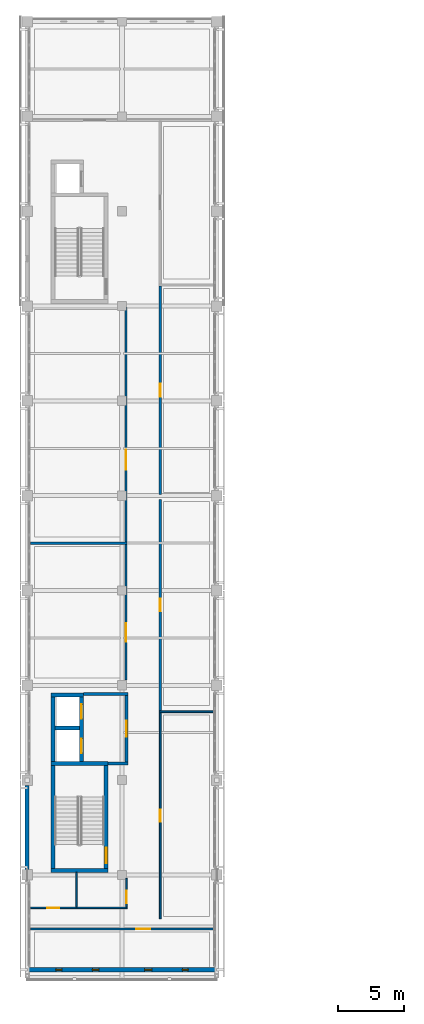
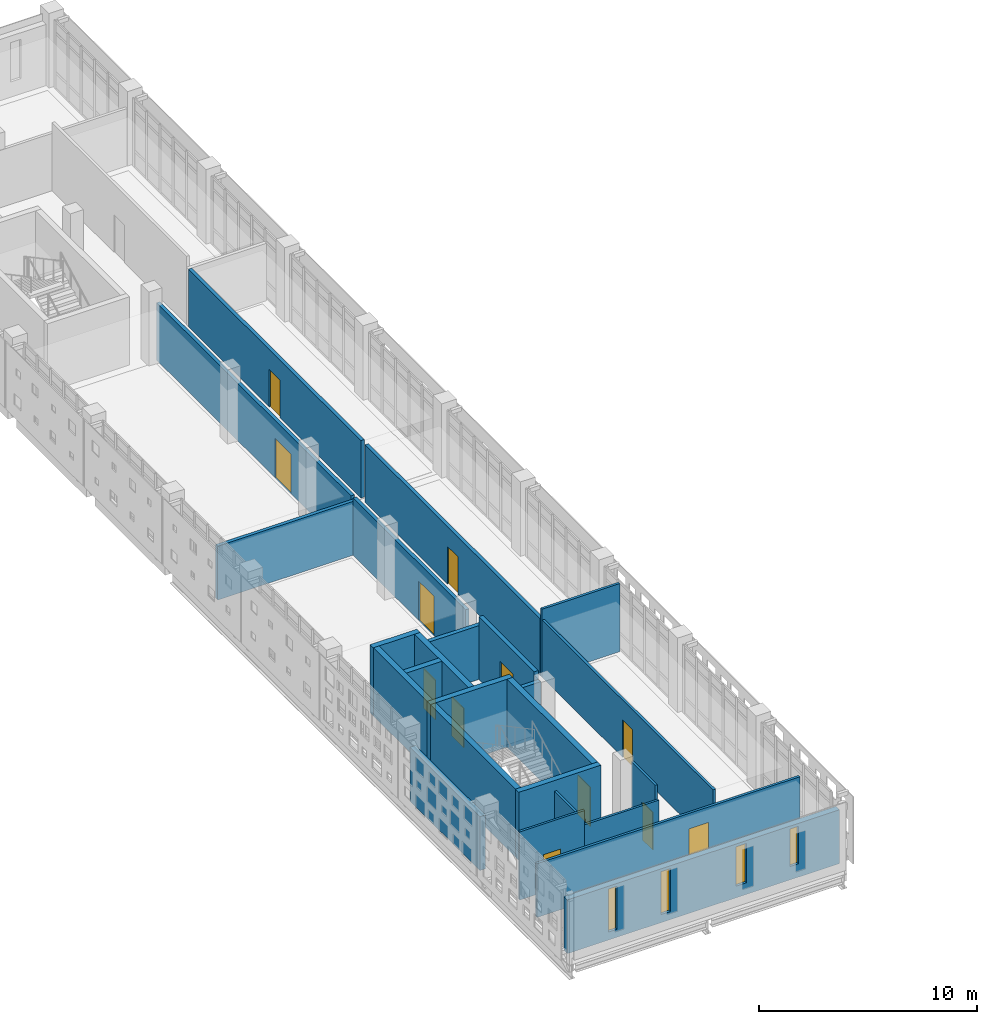
# One storey, part 20 of 33: 25 walls, 12 doors, 4 windows, 16 openings.
"""IFC4 building model written with IfcOpenShell, lengths in metres."""

import ifcopenshell
import ifcopenshell.guid

model = None  # the IFC model being written
_history = None  # IfcOwnerHistory: only IFC2X3 demands one
_inside = {}  # id of a spatial element -> (the spatial element, [elements in it])
_under = {}  # id of a project, library or spatial element -> (it, [spatial elements below it])
_declared = {}  # id of a project -> (the project, [libraries it declares])
_typed = {}  # id of a type object -> (the type object, [elements of that type])
_made_of = {}  # id of a material, layer set ... -> (it, [elements and type objects made of it])


def new_model(schema):
    """Start an empty IFC model of exactly this schema.

    Asked for "IFC4X3", IfcOpenShell would pick the latest addendum, in which some entities
    have other attributes; the version numbers below select the first issue.
    IFC2X3 requires an IfcOwnerHistory on every rooted entity: one is made here for all.
    """
    global model, _history
    if schema == "IFC4X3":
        model = ifcopenshell.file(schema_version=(4, 3, 0, 0))
    else:
        model = ifcopenshell.file(schema=schema)
    _inside.clear()
    _under.clear()
    _declared.clear()
    _typed.clear()
    _made_of.clear()
    _history = None
    if model.schema == "IFC2X3":
        org = make("IfcOrganization", Name="unknown")
        user = make(
            "IfcPersonAndOrganization",
            ThePerson=make("IfcPerson", FamilyName="unknown"),
            TheOrganization=org,
        )
        app = make(
            "IfcApplication",
            ApplicationDeveloper=org,
            Version="unknown",
            ApplicationFullName="unknown",
            ApplicationIdentifier="unknown",
        )
        _history = make(
            "IfcOwnerHistory",
            OwningUser=user,
            OwningApplication=app,
            ChangeAction="ADDED",
            CreationDate=0,
        )
    return model


def make(cls, **values):
    """One entity of the class cls with the attributes given. An attribute that is None is left unset."""
    return model.create_entity(
        cls, **{name: value for name, value in values.items() if value is not None}
    )


def rooted(cls, **values):
    """An entity with a GlobalId (a new one), such as an element, a storey or a relation."""
    return make(cls, GlobalId=ifcopenshell.guid.new(), OwnerHistory=_history, **values)


def si_unit(unit_type, name, prefix=None):
    """IfcSIUnit, for example si_unit("LENGTHUNIT", "METRE", prefix="MILLI")."""
    return make("IfcSIUnit", UnitType=unit_type, Prefix=prefix, Name=name)


def assignment(units):
    """IfcUnitAssignment: the units of a project."""
    return None if units is None else make("IfcUnitAssignment", Units=units)


def point(xyz):
    """IfcCartesianPoint."""
    return None if xyz is None else make("IfcCartesianPoint", Coordinates=xyz)


def direction(xyz):
    """IfcDirection."""
    return None if xyz is None else make("IfcDirection", DirectionRatios=xyz)


def frame(location, z_axis=None, x_axis=None):
    """IfcAxis2Placement3D, a coordinate frame: its origin and axes. An axis left out is left unset."""
    return make(
        "IfcAxis2Placement3D",
        Location=point(location),
        Axis=direction(z_axis),
        RefDirection=direction(x_axis),
    )


def frame_2d(location, x_axis=None):
    """IfcAxis2Placement2D, a coordinate frame in the plane: its origin and x axis."""
    return make(
        "IfcAxis2Placement2D", Location=point(location), RefDirection=direction(x_axis)
    )


def origin():
    """The frame at (0, 0, 0) with its axes left unset."""
    return frame((0.0, 0.0, 0.0))


def place(relative_to, where):
    """IfcLocalPlacement: puts the frame where relative to a parent placement (None: the world)."""
    return make(
        "IfcLocalPlacement", PlacementRelTo=relative_to, RelativePlacement=where
    )


def context(
    kind, dimensions, precision=None, world=None, true_north=None, identifier=None
):
    """IfcGeometricRepresentationContext, for example the 3D "Model" context."""
    return make(
        "IfcGeometricRepresentationContext",
        ContextIdentifier=identifier,
        ContextType=kind,
        CoordinateSpaceDimension=dimensions,
        Precision=precision,
        WorldCoordinateSystem=world,
        TrueNorth=true_north,
    )


def subcontext(parent, identifier, kind, view, scale=None):
    """IfcGeometricRepresentationSubContext, for example "Body" below "Model"."""
    return make(
        "IfcGeometricRepresentationSubContext",
        ContextIdentifier=identifier,
        ContextType=kind,
        ParentContext=parent,
        TargetScale=scale,
        TargetView=view,
    )


def project(units=None, contexts=None):
    """IfcProject with its units and contexts."""
    return rooted(
        "IfcProject",
        Name="project",
        RepresentationContexts=contexts,
        UnitsInContext=assignment(units),
    )


def spatial(cls, under=None, at=None, **own):
    """A site, building, storey or space (cls), placed at a placement, below another one or the project."""
    s = rooted(cls, ObjectPlacement=at, **own)
    if under is not None:
        _under.setdefault(under.id(), (under, []))[1].append(s)
    return s


def profile(cls, at=None, kind="AREA", **sizes):
    """A parametric profile (cls). Its sizes go by their IFC names, for example OverallWidth=200.0."""
    return make(cls, ProfileType=kind, Position=at, **sizes)


def rectangle(**sizes):
    """IfcRectangleProfileDef."""
    return profile("IfcRectangleProfileDef", **sizes)


def extrude(swept, where, along, depth):
    """IfcExtrudedAreaSolid: the profile swept, set in the frame where, extruded along a direction by depth."""
    return make(
        "IfcExtrudedAreaSolid",
        SweptArea=swept,
        Position=where,
        ExtrudedDirection=direction(along),
        Depth=depth,
    )


def shape(context_of_items, identifier, shape_type, items):
    """IfcShapeRepresentation: the items that make up one representation, for example the "Body"."""
    return make(
        "IfcShapeRepresentation",
        ContextOfItems=context_of_items,
        RepresentationIdentifier=identifier,
        RepresentationType=shape_type,
        Items=items,
    )


def material(Name=None, Category=None):
    """IfcMaterial."""
    return make("IfcMaterial", Name=Name, Category=Category)


def layer(
    of_material, thickness, ventilated=None, Name=None, Category=None, Priority=None
):
    """IfcMaterialLayer: one layer of a wall or slab, of a material (None: an air gap)."""
    return make(
        "IfcMaterialLayer",
        Material=of_material,
        LayerThickness=thickness,
        IsVentilated=ventilated,
        Name=Name,
        Category=Category,
        Priority=Priority,
    )


def layer_set(layers, Name=None):
    """IfcMaterialLayerSet."""
    return make("IfcMaterialLayerSet", MaterialLayers=layers, LayerSetName=Name)


def made_of(thing, what):
    """Note that an element or type object is made of a material, layer set ...; save() writes the relation."""
    if what is not None:
        _made_of.setdefault(what.id(), (what, []))[1].append(thing)
    return thing


def type_object(cls, material=None, **own):
    """A type object (cls), such as IfcWallType, which elements share."""
    return made_of(rooted(cls, **own), material)


def element(
    cls,
    number,
    at=None,
    inside=None,
    cuts=None,
    type_object=None,
    material=None,
    context=None,
    identifier="Body",
    shape_type=None,
    held_by="IfcProductDefinitionShape",
    body=None,
    shapes=None,
    **own,
):
    """One element of the class cls, such as IfcWall. Its Tag is "e" and its number.

    at: its placement. inside: the storey or other place that contains it. cuts: it is an
    opening in that element (IfcRelVoidsElement). A single representation is given by context,
    identifier, shape_type and body (its items); several are given by shapes. held_by: the class
    of the entity that holds the representations. save() writes the other relations.
    """
    e = rooted(cls, Tag="e%d" % number, ObjectPlacement=at, **own)
    if body is not None:
        shapes = [shape(context, identifier, shape_type, body)]
    if shapes is not None:
        e.Representation = make(held_by, Representations=shapes)
    if inside is not None:
        _inside.setdefault(inside.id(), (inside, []))[1].append(e)
    if cuts is not None:
        rooted(
            "IfcRelVoidsElement", RelatingBuildingElement=cuts, RelatedOpeningElement=e
        )
    if type_object is not None:
        _typed.setdefault(type_object.id(), (type_object, []))[1].append(e)
    return made_of(e, material)


def fill(opening, filler):
    """IfcRelFillsElement: the door or window that sits in an opening."""
    return rooted(
        "IfcRelFillsElement",
        RelatingOpeningElement=opening,
        RelatedBuildingElement=filler,
    )


def aggregate(whole, parts):
    """IfcRelAggregates: a whole, such as a stair, and the parts it consists of."""
    return rooted("IfcRelAggregates", RelatingObject=whole, RelatedObjects=parts)


def save(model, path):
    """Write the relations noted so far, then the file.

    IfcRelAggregates (storeys below a building ...), IfcRelContainedInSpatialStructure (elements
    in a storey), IfcRelDefinesByType, IfcRelAssociatesMaterial and IfcRelDeclares: one each for
    every whole, place, type object, material and project.
    """
    for whole, parts in _under.values():
        aggregate(whole, parts)
    for where, things in _inside.values():
        rooted(
            "IfcRelContainedInSpatialStructure",
            RelatedElements=things,
            RelatingStructure=where,
        )
    for kind, things in _typed.values():
        rooted("IfcRelDefinesByType", RelatedObjects=things, RelatingType=kind)
    for what, things in _made_of.values():
        rooted("IfcRelAssociatesMaterial", RelatedObjects=things, RelatingMaterial=what)
    for by, libraries in _declared.values():
        rooted("IfcRelDeclares", RelatingContext=by, RelatedDefinitions=libraries)
    model.write(path)


model = new_model("IFC4")

# Units and contexts
model_context = context("Model", 3, precision=1e-05, world=origin(), true_north=direction((0.0, 1.0)))
body_context = subcontext(model_context, "Body", "Model", "MODEL_VIEW")
ifc_project = project(units=[si_unit("LENGTHUNIT", "METRE"), si_unit("AREAUNIT", "SQUARE_METRE"), si_unit("VOLUMEUNIT", "CUBIC_METRE"), si_unit("PLANEANGLEUNIT", "RADIAN"), si_unit("MASSUNIT", "GRAM", prefix="KILO")], contexts=[model_context])

# Site, building, storey
site_placement = place(None, origin())
site = spatial("IfcSite", under=ifc_project, at=site_placement, CompositionType="ELEMENT")
building_placement = place(site_placement, origin())
building = spatial("IfcBuilding", under=site, at=building_placement, Name="Valkovuoma Quantum and Materials Research Institute", CompositionType="ELEMENT")
storey_placement = place(building_placement, frame((0.0, 0.0, 21.43994140625)))
storey = spatial("IfcBuildingStorey", under=building, at=storey_placement, Name="L05", CompositionType="ELEMENT", Elevation=21.43994140625)

# Walls
ifc_material_1 = material(Name="Concrete C40/50", Category="concrete")
ifc_layer_1 = layer(ifc_material_1, 0.300048828125)
ifc_layer_set_1 = layer_set([ifc_layer_1], Name="Concrete C40/50")
wall_type_1 = type_object("IfcWallType", Name="Wall-W-COR300", PredefinedType="SHEAR", material=ifc_layer_set_1)
for number, where, z_axis, x_axis, name in (
    (1, (1.800048828125, 29.14990234375, 0.0), (0.0, 0.0, 1.0), (1.0, 0.0, 0.0), "L05 core wall 0067"),
    (2, (1.800048828125, 37.25, 0.0), (0.0, 0.0, 1.0), (1.0, 0.0, 0.0), "L05 core wall 0068"),
):
    element("IfcWall", number, at=place(storey_placement, frame(where, z_axis=z_axis, x_axis=x_axis)), inside=storey, type_object=wall_type_1, Name=name, PredefinedType="SHEAR", context=body_context, shape_type="SweptSolid", body=[
        extrude(rectangle(XDim=4.349853515625, YDim=0.300048828125, at=frame_2d((2.1748046875, 0.0))), origin(), (0.0, 0.0, 1.0), 3.81005859375),
    ])
wall_1_placement = place(storey_placement, frame((1.949951171875, 29.300048828125, 0.0), z_axis=(0.0, 0.0, 1.0), x_axis=(0.0, 1.0, 0.0)))
element("IfcWall", 3, at=wall_1_placement, inside=storey, type_object=wall_type_1, Name="L05 core wall 0069", PredefinedType="SHEAR", context=body_context, shape_type="SweptSolid", body=[
    extrude(rectangle(XDim=7.800048828125, YDim=0.300048828125, at=frame_2d((3.89990234375, 0.0))), origin(), (0.0, 0.0, 1.0), 3.81005859375),
])

# Wall, opening, door
wall_2_placement = place(storey_placement, frame((6.0, 29.300048828125, 0.0), z_axis=(0.0, 0.0, 1.0), x_axis=(0.0, 1.0, 0.0)))
wall_2 = element("IfcWall", 4, at=wall_2_placement, inside=storey, type_object=wall_type_1, Name="L05 core wall 0070", PredefinedType="SHEAR", context=body_context, shape_type="SweptSolid", body=[
    extrude(rectangle(XDim=7.800048828125, YDim=0.300048828125, at=frame_2d((3.89990234375, 0.0))), origin(), (0.0, 0.0, 1.0), 3.81005859375),
])
opening_1_placement = place(wall_2_placement, frame((0.39990234375, 0.0, 0.0)))
opening_1 = element("IfcOpeningElement", 5, at=opening_1_placement, cuts=wall_2, Name="Opening SD-013", PredefinedType="OPENING", context=body_context, shape_type="SweptSolid", body=[
    extrude(rectangle(XDim=1.14990234375, YDim=2.199951171875, at=frame_2d((0.574951171875, 1.10009765625))), frame((0.0, 0.16015625, 0.0), z_axis=(0.0, -1.0, 0.0), x_axis=(1.0, 0.0, 0.0)), (0.0, 0.0, 1.0), 0.320068359375),
])
ifc_material_2 = material(Name="Powder-coated steel and acoustic timber door assembly", Category="steel")
door_type_1 = type_object("IfcDoorType", Name="Door-DR-ST60", OperationType="NOTDEFINED", PredefinedType="DOOR", material=ifc_material_2)
door_1_placement = place(opening_1_placement, origin())
door_1 = element("IfcDoor", 6, at=door_1_placement, inside=storey, type_object=door_type_1, Name="L05 ST-1 fire door", OperationType="SINGLE_SWING_RIGHT", OverallHeight=2.199951171875, OverallWidth=1.14990234375, PredefinedType="DOOR", context=body_context, shape_type="SweptSolid", body=[
    extrude(rectangle(XDim=1.14990234375, YDim=2.199951171875, at=frame_2d((0.574951171875, 1.10009765625))), frame((0.0, 0.02490234375, 0.0), z_axis=(0.0, -1.0, 0.0), x_axis=(1.0, 0.0, 0.0)), (0.0, 0.0, 1.0), 0.050048828125),
])
fill(opening_1, door_1)

# Walls
wall_3_placement = place(storey_placement, frame((1.800048828125, 42.47998046875, 0.0), z_axis=(0.0, 0.0, 1.0), x_axis=(1.0, 0.0, 0.0)))
element("IfcWall", 7, at=wall_3_placement, inside=storey, type_object=wall_type_1, Name="L05 core wall 0071", PredefinedType="SHEAR", context=body_context, shape_type="SweptSolid", body=[
    extrude(rectangle(XDim=2.47998046875, YDim=0.300048828125, at=frame_2d((1.239990234375, 0.0))), origin(), (0.0, 0.0, 1.0), 3.81005859375),
])
wall_4_placement = place(storey_placement, frame((2.10009765625, 39.97509765625, 0.0), z_axis=(0.0, 0.0, 1.0), x_axis=(1.0, 0.0, 0.0)))
element("IfcWall", 8, at=wall_4_placement, inside=storey, type_object=wall_type_1, Name="L05 core wall 0072", PredefinedType="SHEAR", context=body_context, shape_type="SweptSolid", body=[
    extrude(rectangle(XDim=1.8798828125, YDim=0.300048828125, at=frame_2d((0.93994140625, 0.0))), origin(), (0.0, 0.0, 1.0), 3.81005859375),
])
wall_5_placement = place(storey_placement, frame((1.949951171875, 37.39990234375, 0.0), z_axis=(0.0, 0.0, 1.0), x_axis=(0.0, 1.0, 0.0)))
element("IfcWall", 9, at=wall_5_placement, inside=storey, type_object=wall_type_1, Name="L05 core wall 0073", PredefinedType="SHEAR", context=body_context, shape_type="SweptSolid", body=[
    extrude(rectangle(XDim=4.93017578125, YDim=0.300048828125, at=frame_2d((2.465087890625, 0.0))), origin(), (0.0, 0.0, 1.0), 3.81005859375),
])

# Wall, openings, doors
wall_6_placement = place(storey_placement, frame((4.1298828125, 37.39990234375, 0.0), z_axis=(0.0, 0.0, 1.0), x_axis=(0.0, 1.0, 0.0)))
wall_6 = element("IfcWall", 10, at=wall_6_placement, inside=storey, type_object=wall_type_1, Name="L05 core wall 0074", PredefinedType="SHEAR", context=body_context, shape_type="SweptSolid", body=[
    extrude(rectangle(XDim=4.93017578125, YDim=0.300048828125, at=frame_2d((2.465087890625, 0.0))), origin(), (0.0, 0.0, 1.0), 3.81005859375),
])
opening_2_placement = place(wall_6_placement, frame((0.64990234375, 0.0, 0.0)))
opening_2 = element("IfcOpeningElement", 11, at=opening_2_placement, cuts=wall_6, Name="Opening LD-013", PredefinedType="OPENING", context=body_context, shape_type="SweptSolid", body=[
    extrude(rectangle(XDim=1.10009765625, YDim=2.199951171875, at=frame_2d((0.550048828125, 1.10009765625))), frame((0.0, 0.16015625, 0.0), z_axis=(0.0, -1.0, 0.0), x_axis=(1.0, 0.0, 0.0)), (0.0, 0.0, 1.0), 0.320068359375),
])
opening_3_placement = place(wall_6_placement, frame((3.25, 0.0, 0.0)))
opening_3 = element("IfcOpeningElement", 12, at=opening_3_placement, cuts=wall_6, Name="Opening LD-014", PredefinedType="OPENING", context=body_context, shape_type="SweptSolid", body=[
    extrude(rectangle(XDim=1.10009765625, YDim=2.199951171875, at=frame_2d((0.550048828125, 1.10009765625))), frame((0.0, 0.16015625, 0.0), z_axis=(0.0, -1.0, 0.0), x_axis=(1.0, 0.0, 0.0)), (0.0, 0.0, 1.0), 0.320068359375),
])
ifc_material_3 = material(Name="Powder-coated steel and acoustic timber door assembly", Category="steel")
door_type_2 = type_object("IfcDoorType", Name="Door-DR-LD01", OperationType="NOTDEFINED", PredefinedType="DOOR", material=ifc_material_3)
door_2_placement = place(opening_2_placement, origin())
door_2 = element("IfcDoor", 13, at=door_2_placement, inside=storey, type_object=door_type_2, Name="L05 LIFT-FF1 sliding landing door", OperationType="SLIDING_TO_LEFT", OverallHeight=2.199951171875, OverallWidth=1.10009765625, PredefinedType="DOOR", context=body_context, shape_type="SweptSolid", body=[
    extrude(rectangle(XDim=1.10009765625, YDim=2.199951171875, at=frame_2d((0.550048828125, 1.10009765625))), frame((0.0, 0.02490234375, 0.0), z_axis=(0.0, -1.0, 0.0), x_axis=(1.0, 0.0, 0.0)), (0.0, 0.0, 1.0), 0.050048828125),
])
fill(opening_2, door_2)
door_3_placement = place(opening_3_placement, origin())
door_3 = element("IfcDoor", 14, at=door_3_placement, inside=storey, type_object=door_type_2, Name="L05 LIFT-P1 sliding landing door", OperationType="SLIDING_TO_LEFT", OverallHeight=2.199951171875, OverallWidth=1.10009765625, PredefinedType="DOOR", context=body_context, shape_type="SweptSolid", body=[
    extrude(rectangle(XDim=1.10009765625, YDim=2.199951171875, at=frame_2d((0.550048828125, 1.10009765625))), frame((0.0, 0.02490234375, 0.0), z_axis=(0.0, -1.0, 0.0), x_axis=(1.0, 0.0, 0.0)), (0.0, 0.0, 1.0), 0.050048828125),
])
fill(opening_3, door_3)

# Wall
ifc_material_4 = material(Name="Precast concrete C40/50", Category="concrete")
ifc_layer_2 = layer(ifc_material_4, 0.300048828125)
ifc_layer_set_2 = layer_set([ifc_layer_2], Name="Precast concrete C40/50")
wall_type_2 = type_object("IfcWallType", Name="Wall-W-EXT300", PredefinedType="SOLIDWALL", material=ifc_layer_set_2)
wall_7_placement = place(storey_placement, frame((0.0, 29.18994140625, 0.0), z_axis=(0.0, 0.0, 1.0), x_axis=(0.0, 1.0, 0.0)))
element("IfcWall", 15, at=wall_7_placement, inside=storey, type_object=wall_type_2, Name="L05 exterior wall 0051", PredefinedType="SOLIDWALL", context=body_context, shape_type="SweptSolid", body=[
    extrude(rectangle(XDim=6.420166015625, YDim=0.300048828125, at=frame_2d((3.2099609375, 0.0))), origin(), (0.0, 0.0, 1.0), 3.010009765625),
])

# Wall, openings, windows
ifc_material_5 = material(Name="Precast concrete C40/50", Category="concrete")
ifc_layer_3 = layer(ifc_material_5, 0.320068359375)
ifc_layer_set_3 = layer_set([ifc_layer_3], Name="Precast concrete C40/50")
wall_type_3 = type_object("IfcWallType", Name="Wall-W-EXT320", PredefinedType="SOLIDWALL", material=ifc_layer_set_3)
wall_8_placement = place(storey_placement, frame((0.0, 21.60009765625, 0.0), z_axis=(0.0, 0.0, 1.0), x_axis=(1.0, 0.0, 0.0)))
wall_8 = element("IfcWall", 16, at=wall_8_placement, inside=storey, type_object=wall_type_3, Name="L05 exterior wall 0049", PredefinedType="SOLIDWALL", context=body_context, shape_type="SweptSolid", body=[
    extrude(rectangle(XDim=14.39990234375, YDim=0.320068359375, at=frame_2d((7.199951171875, 0.0))), origin(), (0.0, 0.0, 1.0), 3.010009765625),
])
opening_4_placement = place(wall_8_placement, frame((2.175048828125, 0.0, 0.449951171875)))
opening_4 = element("IfcOpeningElement", 17, at=opening_4_placement, cuts=wall_8, Name="Opening WN-SL01", PredefinedType="OPENING", context=body_context, shape_type="SweptSolid", body=[
    extrude(rectangle(XDim=0.449951171875, YDim=2.39990234375, at=frame_2d((0.22509765625, 1.199951171875))), frame((0.0, 0.169921875, 0.0), z_axis=(0.0, -1.0, 0.0), x_axis=(1.0, 0.0, 0.0)), (0.0, 0.0, 1.0), 0.340087890625),
])
opening_5_placement = place(wall_8_placement, frame((4.949951171875, 0.0, 0.449951171875)))
opening_5 = element("IfcOpeningElement", 18, at=opening_5_placement, cuts=wall_8, Name="Opening WN-SL02", PredefinedType="OPENING", context=body_context, shape_type="SweptSolid", body=[
    extrude(rectangle(XDim=0.5, YDim=2.39990234375, at=frame_2d((0.25, 1.199951171875))), frame((0.0, 0.169921875, 0.0), z_axis=(0.0, -1.0, 0.0), x_axis=(1.0, 0.0, 0.0)), (0.0, 0.0, 1.0), 0.340087890625),
])
opening_6_placement = place(wall_8_placement, frame((8.925048828125, 0.0, 0.64990234375)))
opening_6 = element("IfcOpeningElement", 19, at=opening_6_placement, cuts=wall_8, Name="Opening WN-SL03", PredefinedType="OPENING", context=body_context, shape_type="SweptSolid", body=[
    extrude(rectangle(XDim=0.550048828125, YDim=2.199951171875, at=frame_2d((0.27490234375, 1.10009765625))), frame((0.0, 0.169921875, 0.0), z_axis=(0.0, -1.0, 0.0), x_axis=(1.0, 0.0, 0.0)), (0.0, 0.0, 1.0), 0.340087890625),
])
opening_7_placement = place(wall_8_placement, frame((11.77490234375, 0.0, 0.75)))
opening_7 = element("IfcOpeningElement", 20, at=opening_7_placement, cuts=wall_8, Name="Opening WN-SL04", PredefinedType="OPENING", context=body_context, shape_type="SweptSolid", body=[
    extrude(rectangle(XDim=0.449951171875, YDim=2.10009765625, at=frame_2d((0.22509765625, 1.050048828125))), frame((0.0, 0.169921875, 0.0), z_axis=(0.0, -1.0, 0.0), x_axis=(1.0, 0.0, 0.0)), (0.0, 0.0, 1.0), 0.340087890625),
])
ifc_material_6 = material(Name="Triple low-E argon glazing in thermally broken aluminium frame", Category="aluminium")
window_type_1 = type_object("IfcWindowType", Name="Win-WN-SL01", PartitioningType="SINGLE_PANEL", PredefinedType="WINDOW", material=ifc_material_6)
window_1_placement = place(opening_4_placement, origin())
window_1 = element("IfcWindow", 21, at=window_1_placement, inside=storey, type_object=window_type_1, Name="L05 window 0033", OverallHeight=2.39990234375, OverallWidth=0.449951171875, PartitioningType="SINGLE_PANEL", PredefinedType="WINDOW", context=body_context, shape_type="SweptSolid", body=[
    extrude(rectangle(XDim=0.449951171875, YDim=2.39990234375, at=frame_2d((0.22509765625, 1.199951171875))), frame((0.0, 0.030029296875, 0.0), z_axis=(0.0, -1.0, 0.0), x_axis=(1.0, 0.0, 0.0)), (0.0, 0.0, 1.0), 0.06005859375),
])
fill(opening_4, window_1)
ifc_material_7 = material(Name="Triple low-E argon glazing in thermally broken aluminium frame", Category="aluminium")
window_type_2 = type_object("IfcWindowType", Name="Win-WN-SL02", PartitioningType="SINGLE_PANEL", PredefinedType="WINDOW", material=ifc_material_7)
window_2_placement = place(opening_5_placement, origin())
window_2 = element("IfcWindow", 22, at=window_2_placement, inside=storey, type_object=window_type_2, Name="L05 window 0034", OverallHeight=2.39990234375, OverallWidth=0.5, PartitioningType="SINGLE_PANEL", PredefinedType="WINDOW", context=body_context, shape_type="SweptSolid", body=[
    extrude(rectangle(XDim=0.5, YDim=2.39990234375, at=frame_2d((0.25, 1.199951171875))), frame((0.0, 0.030029296875, 0.0), z_axis=(0.0, -1.0, 0.0), x_axis=(1.0, 0.0, 0.0)), (0.0, 0.0, 1.0), 0.06005859375),
])
fill(opening_5, window_2)
ifc_material_8 = material(Name="Triple low-E argon glazing in thermally broken aluminium frame", Category="aluminium")
window_type_3 = type_object("IfcWindowType", Name="Win-WN-SL03", PartitioningType="SINGLE_PANEL", PredefinedType="WINDOW", material=ifc_material_8)
window_3_placement = place(opening_6_placement, origin())
window_3 = element("IfcWindow", 23, at=window_3_placement, inside=storey, type_object=window_type_3, Name="L05 window 0035", OverallHeight=2.199951171875, OverallWidth=0.550048828125, PartitioningType="SINGLE_PANEL", PredefinedType="WINDOW", context=body_context, shape_type="SweptSolid", body=[
    extrude(rectangle(XDim=0.550048828125, YDim=2.199951171875, at=frame_2d((0.27490234375, 1.10009765625))), frame((0.0, 0.030029296875, 0.0), z_axis=(0.0, -1.0, 0.0), x_axis=(1.0, 0.0, 0.0)), (0.0, 0.0, 1.0), 0.06005859375),
])
fill(opening_6, window_3)
ifc_material_9 = material(Name="Triple low-E argon glazing in thermally broken aluminium frame", Category="aluminium")
window_type_4 = type_object("IfcWindowType", Name="Win-WN-SL04", PartitioningType="SINGLE_PANEL", PredefinedType="WINDOW", material=ifc_material_9)
window_4_placement = place(opening_7_placement, origin())
window_4 = element("IfcWindow", 24, at=window_4_placement, inside=storey, type_object=window_type_4, Name="L05 window 0036", OverallHeight=2.10009765625, OverallWidth=0.449951171875, PartitioningType="SINGLE_PANEL", PredefinedType="WINDOW", context=body_context, shape_type="SweptSolid", body=[
    extrude(rectangle(XDim=0.449951171875, YDim=2.10009765625, at=frame_2d((0.22509765625, 1.050048828125))), frame((0.0, 0.030029296875, 0.0), z_axis=(0.0, -1.0, 0.0), x_axis=(1.0, 0.0, 0.0)), (0.0, 0.0, 1.0), 0.06005859375),
])
fill(opening_7, window_4)

# Walls
ifc_material_10 = material(Name="Concrete C40/50", Category="concrete")
ifc_layer_4 = layer(ifc_material_10, 0.219970703125)
ifc_layer_set_4 = layer_set([ifc_layer_4], Name="Concrete C40/50")
wall_type_4 = type_object("IfcWallType", Name="Wall-W-FFL220", PredefinedType="SOLIDWALL", material=ifc_layer_set_4)
wall_9_placement = place(storey_placement, frame((6.14990234375, 37.25, 0.0), z_axis=(0.0, 0.0, 1.0), x_axis=(1.0, 0.0, 0.0)))
element("IfcWall", 25, at=wall_9_placement, inside=storey, type_object=wall_type_4, Name="L05 core wall 0075", PredefinedType="SOLIDWALL", context=body_context, shape_type="SweptSolid", body=[
    extrude(rectangle(XDim=1.510009765625, YDim=0.219970703125, at=frame_2d((0.7548828125, 0.0))), origin(), (0.0, 0.0, 1.0), 3.010009765625),
])
wall_10_placement = place(storey_placement, frame((4.280029296875, 42.550048828125, 0.0), z_axis=(0.0, 0.0, 1.0), x_axis=(1.0, 0.0, 0.0)))
element("IfcWall", 26, at=wall_10_placement, inside=storey, type_object=wall_type_4, Name="L05 core wall 0076", PredefinedType="SOLIDWALL", context=body_context, shape_type="SweptSolid", body=[
    extrude(rectangle(XDim=3.3798828125, YDim=0.219970703125, at=frame_2d((1.68994140625, 0.0))), origin(), (0.0, 0.0, 1.0), 3.010009765625),
])

# Wall, opening, door
wall_11_placement = place(storey_placement, frame((7.550048828125, 37.360107421875, 0.0), z_axis=(0.0, 0.0, 1.0), x_axis=(0.0, 1.0, 0.0)))
wall_11 = element("IfcWall", 27, at=wall_11_placement, inside=storey, type_object=wall_type_4, Name="L05 core wall 0077", PredefinedType="SOLIDWALL", context=body_context, shape_type="SweptSolid", body=[
    extrude(rectangle(XDim=5.079833984375, YDim=0.219970703125, at=frame_2d((2.5400390625, 0.0))), origin(), (0.0, 0.0, 1.0), 3.510009765625),
])
opening_8_placement = place(wall_11_placement, frame((1.93994140625, 0.0, 0.0)))
opening_8 = element("IfcOpeningElement", 28, at=opening_8_placement, cuts=wall_11, Name="Opening FD-014", PredefinedType="OPENING", context=body_context, shape_type="SweptSolid", body=[
    extrude(rectangle(XDim=1.199951171875, YDim=2.199951171875, at=frame_2d((0.60009765625, 1.10009765625))), frame((0.0, 0.1201171875, 0.0), z_axis=(0.0, -1.0, 0.0), x_axis=(1.0, 0.0, 0.0)), (0.0, 0.0, 1.0), 0.239990234375),
])
ifc_material_11 = material(Name="Powder-coated steel and acoustic timber door assembly", Category="steel")
door_type_3 = type_object("IfcDoorType", Name="Door-DR-FF60", OperationType="NOTDEFINED", PredefinedType="DOOR", material=ifc_material_11)
door_4_placement = place(opening_8_placement, origin())
door_4 = element("IfcDoor", 29, at=door_4_placement, inside=storey, type_object=door_type_3, Name="L05 firefighting lobby door", OperationType="SINGLE_SWING_RIGHT", OverallHeight=2.199951171875, OverallWidth=1.199951171875, PredefinedType="DOOR", context=body_context, shape_type="SweptSolid", body=[
    extrude(rectangle(XDim=1.199951171875, YDim=2.199951171875, at=frame_2d((0.60009765625, 1.10009765625))), frame((0.0, 0.02490234375, 0.0), z_axis=(0.0, -1.0, 0.0), x_axis=(1.0, 0.0, 0.0)), (0.0, 0.0, 1.0), 0.050048828125),
])
fill(opening_8, door_4)

# Walls
ifc_material_12 = material(Name="Service and WC partition", Category="masonry")
ifc_layer_5 = layer(ifc_material_12, 0.1201171875)
ifc_layer_set_5 = layer_set([ifc_layer_5], Name="Service and WC partition")
wall_type_5 = type_object("IfcWallType", Name="Wall-W-PRT120", PredefinedType="PARTITIONING", material=ifc_layer_set_5)
wall_12_placement = place(storey_placement, frame((3.68994140625, 26.300048828125, 0.0), z_axis=(0.0, 0.0, 1.0), x_axis=(1.0, 0.0, 0.0)))
element("IfcWall", 30, at=wall_12_placement, inside=storey, type_object=wall_type_5, Name="L05 partition 0202", PredefinedType="PARTITIONING", context=body_context, shape_type="SweptSolid", body=[
    extrude(rectangle(XDim=3.920166015625, YDim=0.1201171875, at=frame_2d((1.9599609375, 0.0))), origin(), (0.0, 0.0, 1.0), 3.010009765625),
])
wall_13_placement = place(storey_placement, frame((3.75, 26.360107421875, 0.0), z_axis=(0.0, 0.0, 1.0), x_axis=(0.0, 1.0, 0.0)))
element("IfcWall", 31, at=wall_13_placement, inside=storey, type_object=wall_type_5, Name="L05 partition 0203", PredefinedType="PARTITIONING", context=body_context, shape_type="SweptSolid", body=[
    extrude(rectangle(XDim=2.639892578125, YDim=0.1201171875, at=frame_2d((1.31982421875, 0.0))), origin(), (0.0, 0.0, 1.0), 3.2099609375),
])

# Wall, opening, door
wall_14_placement = place(storey_placement, frame((7.550048828125, 26.360107421875, 0.0), z_axis=(0.0, 0.0, 1.0), x_axis=(0.0, 1.0, 0.0)))
wall_14 = element("IfcWall", 32, at=wall_14_placement, inside=storey, type_object=wall_type_5, Name="L05 partition 0204", PredefinedType="PARTITIONING", context=body_context, shape_type="SweptSolid", body=[
    extrude(rectangle(XDim=2.179931640625, YDim=0.1201171875, at=frame_2d((1.08984375, 0.0))), origin(), (0.0, 0.0, 1.0), 3.81005859375),
])
opening_9_placement = place(wall_14_placement, frame((0.29296875, 0.0, 0.0)))
opening_9 = element("IfcOpeningElement", 33, at=opening_9_placement, cuts=wall_14, Name="Opening ID-0146", PredefinedType="OPENING", context=body_context, shape_type="SweptSolid", body=[
    extrude(rectangle(XDim=0.93994140625, YDim=2.10009765625, at=frame_2d((0.469970703125, 1.050048828125))), frame((0.0, 0.070068359375, 0.0), z_axis=(0.0, -1.0, 0.0), x_axis=(1.0, 0.0, 0.0)), (0.0, 0.0, 1.0), 0.14013671875),
])
ifc_material_13 = material(Name="Powder-coated steel and acoustic timber door assembly", Category="steel")
door_type_4 = type_object("IfcDoorType", Name="Door-DR-WC01", OperationType="NOTDEFINED", PredefinedType="DOOR", material=ifc_material_13)
door_5_placement = place(opening_9_placement, frame((0.93994140625, 0.0, 0.0), z_axis=(0.0, 0.0, 1.0), x_axis=(-1.0, 0.0, 0.0)))
door_5 = element("IfcDoor", 34, at=door_5_placement, inside=storey, type_object=door_type_4, Name="L05 room door 0146", OperationType="SINGLE_SWING_LEFT", OverallHeight=2.10009765625, OverallWidth=0.93994140625, PredefinedType="DOOR", context=body_context, shape_type="SweptSolid", body=[
    extrude(rectangle(XDim=0.93994140625, YDim=2.10009765625, at=frame_2d((0.469970703125, 1.050048828125))), frame((0.0, 0.02490234375, 0.0), z_axis=(0.0, -1.0, 0.0), x_axis=(1.0, 0.0, 0.0)), (0.0, 0.0, 1.0), 0.050048828125),
])
fill(opening_9, door_5)

wall_15_placement = place(storey_placement, frame((0.25, 26.300048828125, 0.0), z_axis=(0.0, 0.0, 1.0), x_axis=(1.0, 0.0, 0.0)))
wall_15 = element("IfcWall", 35, at=wall_15_placement, inside=storey, type_object=wall_type_5, Name="L05 partition 0205", PredefinedType="PARTITIONING", context=body_context, shape_type="SweptSolid", body=[
    extrude(rectangle(XDim=3.43994140625, YDim=0.1201171875, at=frame_2d((1.719970703125, 0.0))), origin(), (0.0, 0.0, 1.0), 3.81005859375),
])
opening_10_placement = place(wall_15_placement, frame((1.27001953125, 0.0, 0.0)))
opening_10 = element("IfcOpeningElement", 36, at=opening_10_placement, cuts=wall_15, Name="Opening ID-0147", PredefinedType="OPENING", context=body_context, shape_type="SweptSolid", body=[
    extrude(rectangle(XDim=0.89990234375, YDim=2.10009765625, at=frame_2d((0.449951171875, 1.050048828125))), frame((0.0, 0.070068359375, 0.0), z_axis=(0.0, -1.0, 0.0), x_axis=(1.0, 0.0, 0.0)), (0.0, 0.0, 1.0), 0.14013671875),
])
ifc_material_14 = material(Name="Powder-coated steel and acoustic timber door assembly", Category="steel")
door_type_5 = type_object("IfcDoorType", Name="Door-DR-WC02", OperationType="NOTDEFINED", PredefinedType="DOOR", material=ifc_material_14)
door_6_placement = place(opening_10_placement, origin())
door_6 = element("IfcDoor", 37, at=door_6_placement, inside=storey, type_object=door_type_5, Name="L05 room door 0147", OperationType="SINGLE_SWING_RIGHT", OverallHeight=2.10009765625, OverallWidth=0.89990234375, PredefinedType="DOOR", context=body_context, shape_type="SweptSolid", body=[
    extrude(rectangle(XDim=0.89990234375, YDim=2.10009765625, at=frame_2d((0.449951171875, 1.050048828125))), frame((0.0, 0.02490234375, 0.0), z_axis=(0.0, -1.0, 0.0), x_axis=(1.0, 0.0, 0.0)), (0.0, 0.0, 1.0), 0.050048828125),
])
fill(opening_10, door_6)

ifc_material_15 = material(Name="Interior office stud partition", Category="masonry")
ifc_layer_6 = layer(ifc_material_15, 0.135009765625)
ifc_layer_set_6 = layer_set([ifc_layer_6], Name="Interior office stud partition")
wall_type_6 = type_object("IfcWallType", Name="Wall-W-PRT135", PredefinedType="PARTITIONING", material=ifc_layer_set_6)
wall_16_placement = place(storey_placement, frame((0.25, 24.699951171875, 0.0), z_axis=(0.0, 0.0, 1.0), x_axis=(1.0, 0.0, 0.0)))
wall_16 = element("IfcWall", 38, at=wall_16_placement, inside=storey, type_object=wall_type_6, Name="L05 partition 0201", PredefinedType="PARTITIONING", context=body_context, shape_type="SweptSolid", body=[
    extrude(rectangle(XDim=13.89990234375, YDim=0.135009765625, at=frame_2d((6.949951171875, 0.0))), origin(), (0.0, 0.0, 1.0), 3.010009765625),
])
opening_11_placement = place(wall_16_placement, frame((8.02490234375, 0.0, 0.0)))
opening_11 = element("IfcOpeningElement", 39, at=opening_11_placement, cuts=wall_16, Name="Opening ID-0145", PredefinedType="OPENING", context=body_context, shape_type="SweptSolid", body=[
    extrude(rectangle(XDim=1.050048828125, YDim=2.14990234375, at=frame_2d((0.52490234375, 1.074951171875))), frame((0.0, 0.07763671875, 0.0), z_axis=(0.0, -1.0, 0.0), x_axis=(1.0, 0.0, 0.0)), (0.0, 0.0, 1.0), 0.155029296875),
])
ifc_material_16 = material(Name="Powder-coated steel and acoustic timber door assembly", Category="steel")
door_type_6 = type_object("IfcDoorType", Name="Door-DR-LB01", OperationType="NOTDEFINED", PredefinedType="DOOR", material=ifc_material_16)
door_7_placement = place(opening_11_placement, origin())
door_7 = element("IfcDoor", 40, at=door_7_placement, inside=storey, type_object=door_type_6, Name="L05 room door 0145", OperationType="SINGLE_SWING_RIGHT", OverallHeight=2.14990234375, OverallWidth=1.050048828125, PredefinedType="DOOR", context=body_context, shape_type="SweptSolid", body=[
    extrude(rectangle(XDim=1.050048828125, YDim=2.14990234375, at=frame_2d((0.52490234375, 1.074951171875))), frame((0.0, 0.02490234375, 0.0), z_axis=(0.0, -1.0, 0.0), x_axis=(1.0, 0.0, 0.0)), (0.0, 0.0, 1.0), 0.050048828125),
])
fill(opening_11, door_7)

# Wall
wall_17_placement = place(storey_placement, frame((10.032470703125, 41.199951171875, 0.0), z_axis=(0.0, 0.0, 1.0), x_axis=(1.0, 0.0, 0.0)))
element("IfcWall", 41, at=wall_17_placement, inside=storey, type_object=wall_type_6, Name="L05 partition 0210", PredefinedType="PARTITIONING", context=body_context, shape_type="SweptSolid", body=[
    extrude(rectangle(XDim=4.117431640625, YDim=0.135009765625, at=frame_2d((2.05859375, 0.0))), origin(), (0.0, 0.0, 1.0), 3.81005859375),
])

# Wall, opening, door
wall_18_placement = place(storey_placement, frame((10.10009765625, 25.467529296875, 0.0), z_axis=(0.0, 0.0, 1.0), x_axis=(0.0, 1.0, 0.0)))
wall_18 = element("IfcWall", 42, at=wall_18_placement, inside=storey, type_object=wall_type_6, Name="L05 partition 0211", PredefinedType="PARTITIONING", context=body_context, shape_type="SweptSolid", body=[
    extrude(rectangle(XDim=15.6650390625, YDim=0.135009765625, at=frame_2d((7.83251953125, 0.0))), origin(), (0.0, 0.0, 1.0), 3.2099609375),
])
opening_12_placement = place(wall_18_placement, frame((7.37255859375, 0.0, 0.0)))
opening_12 = element("IfcOpeningElement", 43, at=opening_12_placement, cuts=wall_18, Name="Opening ID-0151", PredefinedType="OPENING", context=body_context, shape_type="SweptSolid", body=[
    extrude(rectangle(XDim=0.919921875, YDim=2.10009765625, at=frame_2d((0.4599609375, 1.050048828125))), frame((0.0, 0.07763671875, 0.0), z_axis=(0.0, -1.0, 0.0), x_axis=(1.0, 0.0, 0.0)), (0.0, 0.0, 1.0), 0.155029296875),
])
ifc_material_17 = material(Name="Powder-coated steel and acoustic timber door assembly", Category="steel")
door_type_7 = type_object("IfcDoorType", Name="Door-DR-OF01", OperationType="NOTDEFINED", PredefinedType="DOOR", material=ifc_material_17)
door_8_placement = place(opening_12_placement, origin())
door_8 = element("IfcDoor", 44, at=door_8_placement, inside=storey, type_object=door_type_7, Name="L05 room door 0151", OperationType="SINGLE_SWING_RIGHT", OverallHeight=2.10009765625, OverallWidth=0.919921875, PredefinedType="DOOR", context=body_context, shape_type="SweptSolid", body=[
    extrude(rectangle(XDim=0.919921875, YDim=2.10009765625, at=frame_2d((0.4599609375, 1.050048828125))), frame((0.0, 0.02490234375, 0.0), z_axis=(0.0, -1.0, 0.0), x_axis=(1.0, 0.0, 0.0)), (0.0, 0.0, 1.0), 0.050048828125),
])
fill(opening_12, door_8)

# Wall
ifc_material_18 = material(Name="Laboratory fire-rated gypsum partition", Category="masonry")
ifc_layer_7 = layer(ifc_material_18, 0.179931640625)
ifc_layer_set_7 = layer_set([ifc_layer_7], Name="Laboratory fire-rated gypsum partition")
wall_type_7 = type_object("IfcWallType", Name="Wall-W-PRT180", PredefinedType="PARTITIONING", material=ifc_layer_set_7)
wall_19_placement = place(storey_placement, frame((0.25, 54.0, 0.0), z_axis=(0.0, 0.0, 1.0), x_axis=(1.0, 0.0, 0.0)))
element("IfcWall", 45, at=wall_19_placement, inside=storey, type_object=wall_type_7, Name="L05 partition 0206", PredefinedType="PARTITIONING", context=body_context, shape_type="SweptSolid", body=[
    extrude(rectangle(XDim=7.340087890625, YDim=0.179931640625, at=frame_2d((3.669921875, 0.0))), origin(), (0.0, 0.0, 1.0), 3.010009765625),
])

# Wall, opening, door
wall_20_placement = place(storey_placement, frame((7.5, 43.590087890625, 0.0), z_axis=(0.0, 0.0, 1.0), x_axis=(0.0, 1.0, 0.0)))
wall_20 = element("IfcWall", 46, at=wall_20_placement, inside=storey, type_object=wall_type_7, Name="L05 partition 0207", PredefinedType="PARTITIONING", context=body_context, shape_type="SweptSolid", body=[
    extrude(rectangle(XDim=10.31982421875, YDim=0.179931640625, at=frame_2d((5.159912109375, 0.0))), origin(), (0.0, 0.0, 1.0), 3.2099609375),
])
opening_13_placement = place(wall_20_placement, frame((2.912109375, 0.0, 0.0)))
opening_13 = element("IfcOpeningElement", 47, at=opening_13_placement, cuts=wall_20, Name="Opening ID-0148", PredefinedType="OPENING", context=body_context, shape_type="SweptSolid", body=[
    extrude(rectangle(XDim=1.39990234375, YDim=2.199951171875, at=frame_2d((0.699951171875, 1.10009765625))), frame((0.0, 0.10009765625, 0.0), z_axis=(0.0, -1.0, 0.0), x_axis=(1.0, 0.0, 0.0)), (0.0, 0.0, 1.0), 0.199951171875),
])
ifc_material_19 = material(Name="Powder-coated steel and acoustic timber door assembly", Category="steel")
door_type_8 = type_object("IfcDoorType", Name="Door-DR-LB04", OperationType="NOTDEFINED", PredefinedType="DOOR", material=ifc_material_19)
door_9_placement = place(opening_13_placement, origin())
door_9 = element("IfcDoor", 48, at=door_9_placement, inside=storey, type_object=door_type_8, Name="L05 room door 0148", OperationType="SINGLE_SWING_LEFT", OverallHeight=2.199951171875, OverallWidth=1.39990234375, PredefinedType="DOOR", context=body_context, shape_type="SweptSolid", body=[
    extrude(rectangle(XDim=1.39990234375, YDim=2.199951171875, at=frame_2d((0.699951171875, 1.10009765625))), frame((0.0, 0.02490234375, 0.0), z_axis=(0.0, -1.0, 0.0), x_axis=(1.0, 0.0, 0.0)), (0.0, 0.0, 1.0), 0.050048828125),
])
fill(opening_13, door_9)

wall_21_placement = place(storey_placement, frame((7.5, 54.090087890625, 0.0), z_axis=(0.0, 0.0, 1.0), x_axis=(0.0, 1.0, 0.0)))
wall_21 = element("IfcWall", 49, at=wall_21_placement, inside=storey, type_object=wall_type_7, Name="L05 partition 0208", PredefinedType="PARTITIONING", context=body_context, shape_type="SweptSolid", body=[
    extrude(rectangle(XDim=17.81982421875, YDim=0.179931640625, at=frame_2d((8.909912109375, 0.0))), origin(), (0.0, 0.0, 1.0), 3.2099609375),
])
opening_14_placement = place(wall_21_placement, frame((5.487060546875, 0.0, 0.0)))
opening_14 = element("IfcOpeningElement", 50, at=opening_14_placement, cuts=wall_21, Name="Opening ID-0149", PredefinedType="OPENING", context=body_context, shape_type="SweptSolid", body=[
    extrude(rectangle(XDim=1.5, YDim=2.199951171875, at=frame_2d((0.75, 1.10009765625))), frame((0.0, 0.10009765625, 0.0), z_axis=(0.0, -1.0, 0.0), x_axis=(1.0, 0.0, 0.0)), (0.0, 0.0, 1.0), 0.199951171875),
])
ifc_material_20 = material(Name="Powder-coated steel and acoustic timber door assembly", Category="steel")
door_type_9 = type_object("IfcDoorType", Name="Door-DR-LB05", OperationType="NOTDEFINED", PredefinedType="DOOR", material=ifc_material_20)
door_10_placement = place(opening_14_placement, origin())
door_10 = element("IfcDoor", 51, at=door_10_placement, inside=storey, type_object=door_type_9, Name="L05 room door 0149", OperationType="SINGLE_SWING_RIGHT", OverallHeight=2.199951171875, OverallWidth=1.5, PredefinedType="DOOR", context=body_context, shape_type="SweptSolid", body=[
    extrude(rectangle(XDim=1.5, YDim=2.199951171875, at=frame_2d((0.75, 1.10009765625))), frame((0.0, 0.02490234375, 0.0), z_axis=(0.0, -1.0, 0.0), x_axis=(1.0, 0.0, 0.0)), (0.0, 0.0, 1.0), 0.050048828125),
])
fill(opening_14, door_10)

wall_22_placement = place(storey_placement, frame((10.10009765625, 41.267578125, 0.0), z_axis=(0.0, 0.0, 1.0), x_axis=(0.0, 1.0, 0.0)))
wall_22 = element("IfcWall", 52, at=wall_22_placement, inside=storey, type_object=wall_type_7, Name="L05 partition 0212", PredefinedType="PARTITIONING", context=body_context, shape_type="SweptSolid", body=[
    extrude(rectangle(XDim=16.04248046875, YDim=0.179931640625, at=frame_2d((8.021240234375, 0.0))), origin(), (0.0, 0.0, 1.0), 3.2099609375),
])
opening_15_placement = place(wall_22_placement, frame((7.54638671875, 0.0, 0.0)))
opening_15 = element("IfcOpeningElement", 53, at=opening_15_placement, cuts=wall_22, Name="Opening ID-0152", PredefinedType="OPENING", context=body_context, shape_type="SweptSolid", body=[
    extrude(rectangle(XDim=0.949951171875, YDim=2.10009765625, at=frame_2d((0.47509765625, 1.050048828125))), frame((0.0, 0.10009765625, 0.0), z_axis=(0.0, -1.0, 0.0), x_axis=(1.0, 0.0, 0.0)), (0.0, 0.0, 1.0), 0.199951171875),
])
ifc_material_21 = material(Name="Powder-coated steel and acoustic timber door assembly", Category="steel")
door_type_10 = type_object("IfcDoorType", Name="Door-DR-OF02", OperationType="NOTDEFINED", PredefinedType="DOOR", material=ifc_material_21)
door_11_placement = place(opening_15_placement, origin())
door_11 = element("IfcDoor", 54, at=door_11_placement, inside=storey, type_object=door_type_10, Name="L05 room door 0152", OperationType="SINGLE_SWING_LEFT", OverallHeight=2.10009765625, OverallWidth=0.949951171875, PredefinedType="DOOR", context=body_context, shape_type="SweptSolid", body=[
    extrude(rectangle(XDim=0.949951171875, YDim=2.10009765625, at=frame_2d((0.47509765625, 1.050048828125))), frame((0.0, 0.02490234375, 0.0), z_axis=(0.0, -1.0, 0.0), x_axis=(1.0, 0.0, 0.0)), (0.0, 0.0, 1.0), 0.050048828125),
])
fill(opening_15, door_11)

wall_23_placement = place(storey_placement, frame((10.10009765625, 57.68994140625, 0.0), z_axis=(0.0, 0.0, 1.0), x_axis=(0.0, 1.0, 0.0)))
wall_23 = element("IfcWall", 55, at=wall_23_placement, inside=storey, type_object=wall_type_7, Name="L05 partition 0214", PredefinedType="PARTITIONING", context=body_context, shape_type="SweptSolid", body=[
    extrude(rectangle(XDim=15.820068359375, YDim=0.179931640625, at=frame_2d((7.91015625, 0.0))), origin(), (0.0, 0.0, 1.0), 3.2099609375),
])
opening_16_placement = place(wall_23_placement, frame((7.419921875, 0.0, 0.0)))
opening_16 = element("IfcOpeningElement", 56, at=opening_16_placement, cuts=wall_23, Name="Opening ID-0153", PredefinedType="OPENING", context=body_context, shape_type="SweptSolid", body=[
    extrude(rectangle(XDim=0.97998046875, YDim=2.10009765625, at=frame_2d((0.489990234375, 1.050048828125))), frame((0.0, 0.10009765625, 0.0), z_axis=(0.0, -1.0, 0.0), x_axis=(1.0, 0.0, 0.0)), (0.0, 0.0, 1.0), 0.199951171875),
])
ifc_material_22 = material(Name="Powder-coated steel and acoustic timber door assembly", Category="steel")
door_type_11 = type_object("IfcDoorType", Name="Door-DR-OF03", OperationType="NOTDEFINED", PredefinedType="DOOR", material=ifc_material_22)
door_12_placement = place(opening_16_placement, origin())
door_12 = element("IfcDoor", 57, at=door_12_placement, inside=storey, type_object=door_type_11, Name="L05 room door 0153", OperationType="SINGLE_SWING_RIGHT", OverallHeight=2.10009765625, OverallWidth=0.97998046875, PredefinedType="DOOR", context=body_context, shape_type="SweptSolid", body=[
    extrude(rectangle(XDim=0.97998046875, YDim=2.10009765625, at=frame_2d((0.489990234375, 1.050048828125))), frame((0.0, 0.02490234375, 0.0), z_axis=(0.0, -1.0, 0.0), x_axis=(1.0, 0.0, 0.0)), (0.0, 0.0, 1.0), 0.050048828125),
])
fill(opening_16, door_12)

save(model, "model.ifc")
